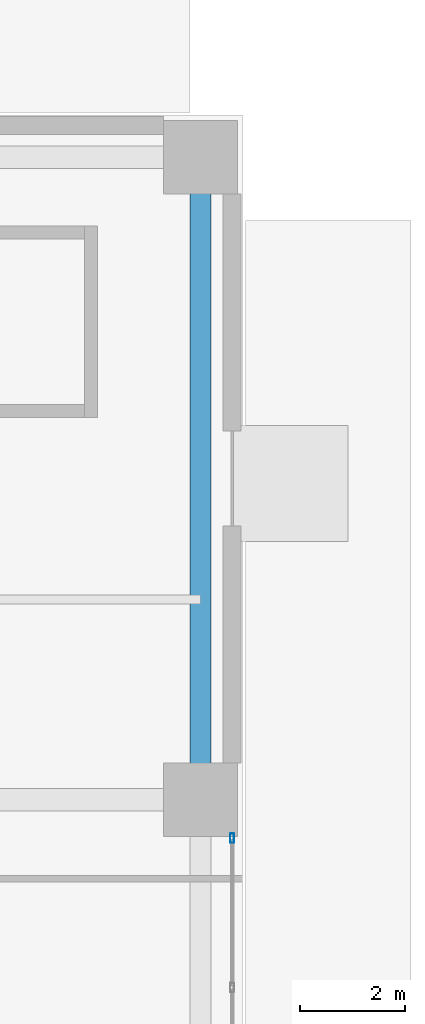
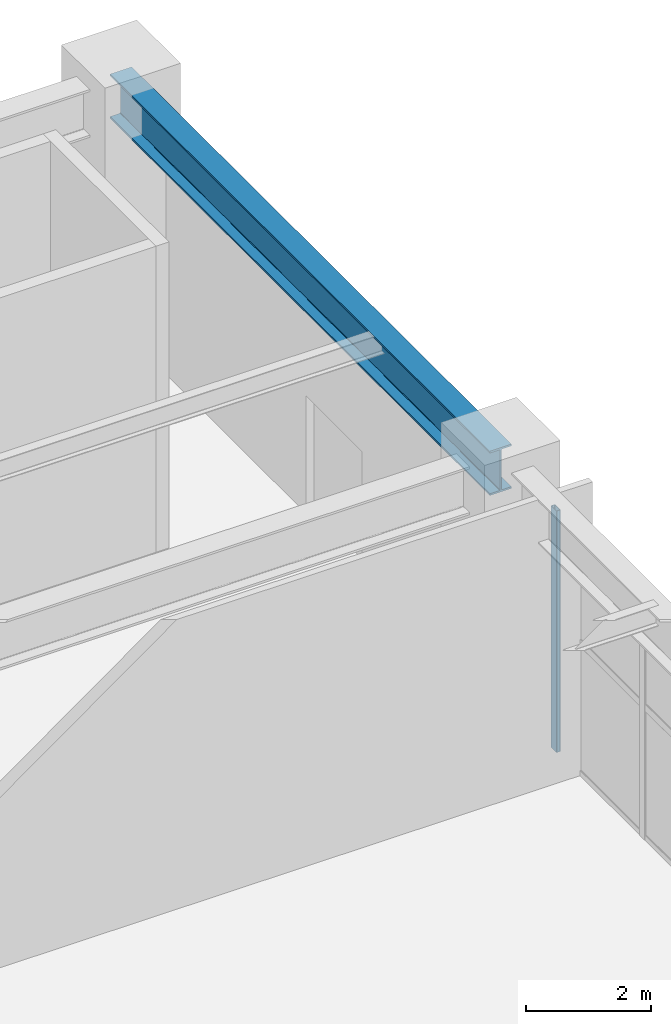
# One storey, part 18 of 31: 1 beam, 1 member, 1 element without a shape of its own.
"""IFC4 building model written with IfcOpenShell, lengths in metres."""

from ifc_helpers import new_model, si_unit, direction, frame, origin, origin_2d, place, context, subcontext, project, spatial, hollow_rectangle, i_section, extrude, material, layer, layer_set, material_profile, profile_set, type_object, element, aggregate, save


model = new_model("IFC4")

# Units and contexts
model_context = context("Model", 3, precision=1e-05, world=origin(), true_north=direction((0.0, 1.0)))
body_context = subcontext(model_context, "Body", "Model", "MODEL_VIEW")
ifc_project = project(units=[si_unit("LENGTHUNIT", "METRE"), si_unit("AREAUNIT", "SQUARE_METRE"), si_unit("VOLUMEUNIT", "CUBIC_METRE"), si_unit("PLANEANGLEUNIT", "RADIAN"), si_unit("MASSUNIT", "GRAM", prefix="KILO")], contexts=[model_context])

# Site, building, storey
site_placement = place(None, origin())
site = spatial("IfcSite", under=ifc_project, at=site_placement, CompositionType="ELEMENT")
building_placement = place(site_placement, origin())
building = spatial("IfcBuilding", under=site, at=building_placement, Name="Soratama Intermodal Tower", CompositionType="ELEMENT")
storey_placement = place(building_placement, origin())
storey = spatial("IfcBuildingStorey", under=building, at=storey_placement, Name="L00", CompositionType="ELEMENT", Elevation=0.0)

# Beam
ifc_material_1 = material(Name="Structural steel ASTM A992 Grade 50", Category="steel")
ifc_material_profile_1 = material_profile(ifc_material_1, i_section(OverallWidth=0.403076171875, OverallDepth=0.867919921875, WebThickness=0.02099609375, FlangeThickness=0.03564453125, FilletRadius=0.01806640625, at=origin_2d()), Name="W33X241")
ifc_profile_set_1 = profile_set([ifc_material_profile_1], Name="Structural steel ASTM A992 Grade 50")
beam_type = type_object("IfcBeamType", Name="BM-POD-EXT-W33", PredefinedType="BEAM", material=ifc_profile_set_1)
beam_placement = place(storey_placement, frame((83.199951171875, 35.0, 5.24609375), z_axis=(0.0, 1.0, 0.0), x_axis=(-1.0, 0.0, 0.0)))
element("IfcBeam", 1, at=beam_placement, inside=storey, type_object=beam_type, Name="L00 Station Girder Y4-4", PredefinedType="BEAM", context=body_context, shape_type="SweptSolid", body=[
    extrude(i_section(OverallWidth=0.403076171875, OverallDepth=0.867919921875, WebThickness=0.02099609375, FlangeThickness=0.03564453125, FilletRadius=0.01806640625, at=origin_2d()), origin(), (0.0, 0.0, 1.0), 12.199951171875),
])

# Curtain wall, member
ifc_material_2 = material(Name="Double-glazed aluminium curtain wall", Category="aluminium")
ifc_layer = layer(ifc_material_2, 0.159912109375)
ifc_layer_set = layer_set([ifc_layer], Name="Double-glazed aluminium curtain wall")
curtain_wall_type = type_object("IfcCurtainWallType", Name="CW-SYS-1", PredefinedType="NOTDEFINED", material=ifc_layer_set)
curtain_wall_placement = place(storey_placement, origin())
curtain_wall = element("IfcCurtainWall", 2, at=curtain_wall_placement, inside=storey, type_object=curtain_wall_type, Name="L00 Station Curtain Wall E2", PredefinedType="NOTDEFINED")
ifc_material_3 = material(Name="Anodised aluminium AA 6063-T6", Category="aluminium")
ifc_material_profile_2 = material_profile(ifc_material_3, hollow_rectangle(XDim=0.074951171875, YDim=0.179931640625, WallThickness=0.006103515625, InnerFilletRadius=0.006103515625, OuterFilletRadius=0.011962890625, at=origin_2d()), Name="CWM180X75X6")
ifc_profile_set_2 = profile_set([ifc_material_profile_2], Name="Anodised aluminium AA 6063-T6")
member_type = type_object("IfcMemberType", Name="MT-CWM-1", PredefinedType="MULLION", material=ifc_profile_set_2)
member_placement = place(storey_placement, frame((83.800048828125, 34.27001953125, 0.0), z_axis=(0.0, 0.0, 1.0), x_axis=(-1.0, 0.0, 0.0)))
member = element("IfcMember", 3, at=member_placement, type_object=member_type, Name="CW-1 mullion 4", PredefinedType="MULLION", context=body_context, shape_type="SweptSolid", body=[
    extrude(hollow_rectangle(XDim=0.074951171875, YDim=0.179931640625, WallThickness=0.006103515625, InnerFilletRadius=0.006103515625, OuterFilletRadius=0.011962890625, at=origin_2d()), origin(), (0.0, 0.0, 1.0), 4.736083984375),
])
aggregate(curtain_wall, [member])

save(model, "model.ifc")
